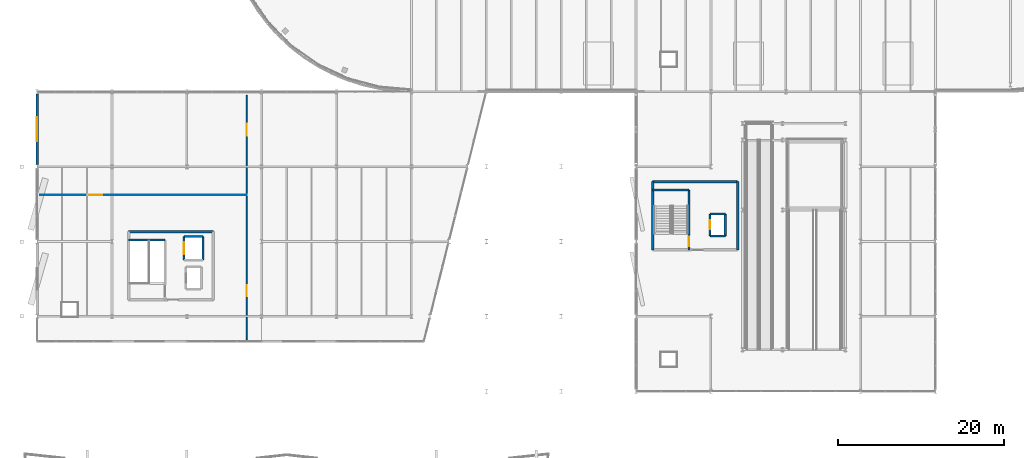
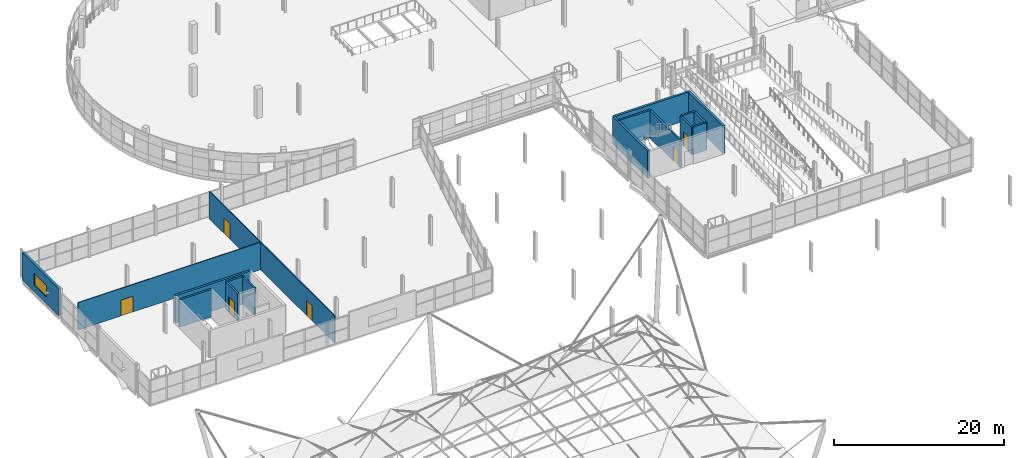
# One storey, part 113 of 132: 17 walls, 6 doors, 1 window, 7 openings.
"""IFC4 building model written with IfcOpenShell, lengths in metres."""

from ifc_helpers import new_model, si_unit, direction, frame, frame_2d, origin, place, context, subcontext, project, spatial, rectangle, extrude, material, layer, layer_set, type_object, element, fill, save


model = new_model("IFC4")

# Units and contexts
model_context = context("Model", 3, precision=1e-05, world=origin(), true_north=direction((0.0, 1.0)))
body_context = subcontext(model_context, "Body", "Model", "MODEL_VIEW")
ifc_project = project(units=[si_unit("LENGTHUNIT", "METRE"), si_unit("AREAUNIT", "SQUARE_METRE"), si_unit("VOLUMEUNIT", "CUBIC_METRE"), si_unit("PLANEANGLEUNIT", "RADIAN"), si_unit("MASSUNIT", "GRAM", prefix="KILO")], contexts=[model_context])

# Site, building, storey
site_placement = place(None, origin())
site = spatial("IfcSite", under=ifc_project, at=site_placement, CompositionType="ELEMENT")
building_placement = place(site_placement, origin())
building = spatial("IfcBuilding", under=site, at=building_placement, Name="Deido Ridge Mobility Hub", CompositionType="ELEMENT")
storey_placement = place(building_placement, frame((0.0, 0.0, 8.39990234375)))
storey = spatial("IfcBuildingStorey", under=building, at=storey_placement, Name="L02", CompositionType="ELEMENT", Elevation=8.39990234375)

# Wall, opening, window
ifc_material_1 = material(Name="Fired clay brick masonry", Category="masonry")
ifc_layer_1 = layer(ifc_material_1, 0.294921875, Name="Fired clay brick masonry")
ifc_layer_set_1 = layer_set([ifc_layer_1], Name="Fired clay brick masonry")
wall_type_1 = type_object("IfcWallType", Name="WL-EXT-BRK-295", PredefinedType="STANDARD", material=ifc_layer_set_1)
wall_1_placement = place(storey_placement, frame((0.0, 72.25, 0.0), z_axis=(0.0, 0.0, 1.0), x_axis=(0.0, 1.0, 0.0)))
wall_1 = element("IfcWall", 1, at=wall_1_placement, inside=storey, type_object=wall_type_1, Name="Exterior wall EW2", PredefinedType="STANDARD", context=body_context, shape_type="SweptSolid", body=[
    extrude(rectangle(XDim=8.5, YDim=0.294921875, at=frame_2d((4.25, 0.0))), origin(), (0.0, 0.0, 1.0), 3.93505859375),
])
opening_1_placement = place(wall_1_placement, frame((2.824951171875, 0.0, 0.949951171875)))
opening_1 = element("IfcOpeningElement", 2, at=opening_1_placement, cuts=wall_1, Name="Opening W14", PredefinedType="OPENING", context=body_context, shape_type="SweptSolid", body=[
    extrude(rectangle(XDim=2.85009765625, YDim=1.699951171875, at=frame_2d((1.425048828125, 0.85009765625))), frame((0.0, 0.157470703125, 0.0), z_axis=(0.0, -1.0, 0.0), x_axis=(1.0, 0.0, 0.0)), (0.0, 0.0, 1.0), 0.31494140625),
])
ifc_material_2 = material(Name="Laminated solar-control low-E glass", Category="glass")
window_type = type_object("IfcWindowType", Name="WN-ALU-2850X1700", PartitioningType="DOUBLE_PANEL_VERTICAL", PredefinedType="WINDOW", material=ifc_material_2)
window_placement = place(opening_1_placement, origin())
window = element("IfcWindow", 3, at=window_placement, inside=storey, type_object=window_type, Name="Exterior window W14", OverallHeight=1.699951171875, OverallWidth=2.85009765625, PartitioningType="SINGLE_PANEL", PredefinedType="WINDOW", context=body_context, shape_type="SweptSolid", body=[
    extrude(rectangle(XDim=2.85009765625, YDim=1.699951171875, at=frame_2d((1.425048828125, 0.85009765625))), frame((0.0, 0.030029296875, 0.0), z_axis=(0.0, -1.0, 0.0), x_axis=(1.0, 0.0, 0.0)), (0.0, 0.0, 1.0), 0.06005859375),
])
fill(opening_1, window)

# Wall, opening, door
ifc_material_3 = material(Name="Concrete blockwork masonry", Category="masonry")
ifc_layer_2 = layer(ifc_material_3, 0.10009765625, Name="Concrete blockwork masonry")
ifc_layer_set_2 = layer_set([ifc_layer_2], Name="Concrete blockwork masonry")
wall_type_2 = type_object("IfcWallType", Name="WL-PRT-BLK-100", PredefinedType="PARTITIONING", material=ifc_layer_set_2)
wall_2_placement = place(storey_placement, frame((0.39990234375, 68.60009765625, 0.0), z_axis=(0.0, 0.0, 1.0), x_axis=(1.0, 0.0, 0.0)))
wall_2 = element("IfcWall", 4, at=wall_2_placement, inside=storey, type_object=wall_type_2, Name="V5 west cross partition (L02)", PredefinedType="PARTITIONING", context=body_context, shape_type="SweptSolid", body=[
    extrude(rectangle(XDim=24.800048828125, YDim=0.10009765625, at=frame_2d((12.39990234375, 0.0))), origin(), (0.0, 0.0, 1.0), 3.93505859375),
])
opening_2_placement = place(wall_2_placement, frame((5.800048828125, 0.0, 0.0)))
opening_2 = element("IfcOpeningElement", 5, at=opening_2_placement, cuts=wall_2, Name="Opening DR-L02-212", PredefinedType="OPENING", context=body_context, shape_type="SweptSolid", body=[
    extrude(rectangle(XDim=1.64990234375, YDim=2.25, at=frame_2d((0.824951171875, 1.125))), frame((0.0, 0.06005859375, 0.0), z_axis=(0.0, -1.0, 0.0), x_axis=(1.0, 0.0, 0.0)), (0.0, 0.0, 1.0), 0.1201171875),
])
ifc_material_4 = material(Name="Treated tropical hardwood timber D40", Category="wood")
door_type_1 = type_object("IfcDoorType", Name="DR-INT-1650X2250", OperationType="DOUBLE_DOOR_SINGLE_SWING", PredefinedType="DOOR", material=ifc_material_4)
door_1_placement = place(opening_2_placement, origin())
door_1 = element("IfcDoor", 6, at=door_1_placement, inside=storey, type_object=door_type_1, Name="DR-I0212 V5 west cross door (L02)", OperationType="DOUBLE_DOOR_SINGLE_SWING", OverallHeight=2.25, OverallWidth=1.64990234375, PredefinedType="DOOR", context=body_context, shape_type="SweptSolid", body=[
    extrude(rectangle(XDim=1.64990234375, YDim=2.25, at=frame_2d((0.824951171875, 1.125))), frame((0.0, 0.02490234375, 0.0), z_axis=(0.0, -1.0, 0.0), x_axis=(1.0, 0.0, 0.0)), (0.0, 0.0, 1.0), 0.050048828125),
])
fill(opening_2, door_1)

# Wall, openings, doors
ifc_layer_3 = layer(ifc_material_3, 0.1298828125, Name="Concrete blockwork masonry")
ifc_layer_set_3 = layer_set([ifc_layer_3], Name="Concrete blockwork masonry")
wall_type_3 = type_object("IfcWallType", Name="WL-PRT-BLK-130", PredefinedType="PARTITIONING", material=ifc_layer_set_3)
wall_3_placement = place(storey_placement, frame((25.199951171875, 51.199951171875, 0.0), z_axis=(0.0, 0.0, 1.0), x_axis=(0.0, 1.0, 0.0)))
wall_3 = element("IfcWall", 7, at=wall_3_placement, inside=storey, type_object=wall_type_3, Name="V5 hall longitudinal partition (L02)", PredefinedType="PARTITIONING", context=body_context, shape_type="SweptSolid", body=[
    extrude(rectangle(XDim=29.400146484375, YDim=0.1298828125, at=frame_2d((14.7001953125, 0.0))), origin(), (0.0, 0.0, 1.0), 3.93505859375),
])
opening_3_placement = place(wall_3_placement, frame((5.199951171875, 0.0, 0.0)))
opening_3 = element("IfcOpeningElement", 8, at=opening_3_placement, cuts=wall_3, Name="Opening DR-L02-210", PredefinedType="OPENING", context=body_context, shape_type="SweptSolid", body=[
    extrude(rectangle(XDim=1.320068359375, YDim=2.199951171875, at=frame_2d((0.66015625, 1.10009765625))), frame((0.0, 0.074951171875, 0.0), z_axis=(0.0, -1.0, 0.0), x_axis=(1.0, 0.0, 0.0)), (0.0, 0.0, 1.0), 0.14990234375),
])
opening_4_placement = place(wall_3_placement, frame((24.5, 0.0, 0.0)))
opening_4 = element("IfcOpeningElement", 9, at=opening_4_placement, cuts=wall_3, Name="Opening DR-L02-211", PredefinedType="OPENING", context=body_context, shape_type="SweptSolid", body=[
    extrude(rectangle(XDim=1.449951171875, YDim=2.219970703125, at=frame_2d((0.72509765625, 1.10986328125))), frame((0.0, 0.074951171875, 0.0), z_axis=(0.0, -1.0, 0.0), x_axis=(1.0, 0.0, 0.0)), (0.0, 0.0, 1.0), 0.14990234375),
])
door_type_2 = type_object("IfcDoorType", Name="DR-INT-1320X2200", OperationType="NOTDEFINED", PredefinedType="DOOR", material=ifc_material_4)
door_2_placement = place(opening_3_placement, origin())
door_2 = element("IfcDoor", 10, at=door_2_placement, inside=storey, type_object=door_type_2, Name="DR-I0210 V5 south hall door (L02)", OperationType="SINGLE_SWING_LEFT", OverallHeight=2.199951171875, OverallWidth=1.320068359375, PredefinedType="DOOR", context=body_context, shape_type="SweptSolid", body=[
    extrude(rectangle(XDim=1.320068359375, YDim=2.199951171875, at=frame_2d((0.66015625, 1.10009765625))), frame((0.0, 0.02490234375, 0.0), z_axis=(0.0, -1.0, 0.0), x_axis=(1.0, 0.0, 0.0)), (0.0, 0.0, 1.0), 0.050048828125),
])
fill(opening_3, door_2)
door_type_3 = type_object("IfcDoorType", Name="DR-INT-1450X2220", OperationType="DOUBLE_DOOR_SINGLE_SWING", PredefinedType="DOOR", material=ifc_material_4)
door_3_placement = place(opening_4_placement, origin())
door_3 = element("IfcDoor", 11, at=door_3_placement, inside=storey, type_object=door_type_3, Name="DR-I0211 V5 north hall door (L02)", OperationType="DOUBLE_DOOR_SINGLE_SWING", OverallHeight=2.219970703125, OverallWidth=1.449951171875, PredefinedType="DOOR", context=body_context, shape_type="SweptSolid", body=[
    extrude(rectangle(XDim=1.449951171875, YDim=2.219970703125, at=frame_2d((0.72509765625, 1.10986328125))), frame((0.0, 0.02490234375, 0.0), z_axis=(0.0, -1.0, 0.0), x_axis=(1.0, 0.0, 0.0)), (0.0, 0.0, 1.0), 0.050048828125),
])
fill(opening_4, door_3)

# Wall, opening, door
ifc_material_5 = material(Name="Concrete C40/50", Category="concrete")
ifc_layer_4 = layer(ifc_material_5, 0.25, Name="Concrete C40/50")
ifc_layer_set_4 = layer_set([ifc_layer_4], Name="Concrete C40/50")
wall_type_4 = type_object("IfcWallType", Name="WL-SHR-RC-250", PredefinedType="SHEAR", material=ifc_layer_set_4)
wall_4_placement = place(storey_placement, frame((78.360107421875, 62.0, 0.0), z_axis=(0.0, 0.0, 1.0), x_axis=(0.0, 1.0, 0.0)))
wall_4 = element("IfcWall", 12, at=wall_4_placement, inside=storey, type_object=wall_type_4, Name="C4 stair shaft east wall", PredefinedType="SHEAR", context=body_context, shape_type="SweptSolid", body=[
    extrude(rectangle(XDim=7.199951171875, YDim=0.25, at=frame_2d((3.60009765625, 0.0))), origin(), (0.0, 0.0, 1.0), 3.93505859375),
])
opening_5_placement = place(wall_4_placement, frame((0.449951171875, 0.0, 0.0)))
opening_5 = element("IfcOpeningElement", 13, at=opening_5_placement, cuts=wall_4, Name="Opening FD-C4-L02", PredefinedType="OPENING", context=body_context, shape_type="SweptSolid", body=[
    extrude(rectangle(XDim=1.14990234375, YDim=2.14990234375, at=frame_2d((0.574951171875, 1.074951171875))), frame((0.0, 0.135009765625, 0.0), z_axis=(0.0, -1.0, 0.0), x_axis=(1.0, 0.0, 0.0)), (0.0, 0.0, 1.0), 0.27001953125),
])
ifc_material_6 = material(Name="Galvanised steel work", Category="steel")
door_type_4 = type_object("IfcDoorType", Name="DR-FD60-1150X2150", OperationType="NOTDEFINED", PredefinedType="DOOR", material=ifc_material_6)
door_4_placement = place(opening_5_placement, origin())
door_4 = element("IfcDoor", 14, at=door_4_placement, inside=storey, type_object=door_type_4, Name="DR-I0088 C4 protected stair door (L02)", OperationType="SINGLE_SWING_LEFT", OverallHeight=2.14990234375, OverallWidth=1.14990234375, PredefinedType="DOOR", context=body_context, shape_type="SweptSolid", body=[
    extrude(rectangle(XDim=1.14990234375, YDim=2.14990234375, at=frame_2d((0.574951171875, 1.074951171875))), frame((0.0, 0.02490234375, 0.0), z_axis=(0.0, -1.0, 0.0), x_axis=(1.0, 0.0, 0.0)), (0.0, 0.0, 1.0), 0.050048828125),
])
fill(opening_5, door_4)

# Walls
wall_5_placement = place(storey_placement, frame((74.0, 69.199951171875, 0.0), z_axis=(0.0, 0.0, 1.0), x_axis=(1.0, 0.0, 0.0)))
element("IfcWall", 15, at=wall_5_placement, inside=storey, type_object=wall_type_4, Name="C4 stair shaft north wall", PredefinedType="SHEAR", context=body_context, shape_type="SweptSolid", body=[
    extrude(rectangle(XDim=4.360107421875, YDim=0.25, at=frame_2d((2.18017578125, 0.0))), origin(), (0.0, 0.0, 1.0), 3.93505859375),
])
for number, where, z_axis, x_axis, name in (
    (16, (80.875, 63.675048828125, 0.0), (0.0, 0.0, 1.0), (1.0, 0.0, 0.0), "Lift PL2 south shaft wall"),
    (17, (80.875, 66.324951171875, 0.0), (0.0, 0.0, 1.0), (1.0, 0.0, 0.0), "Lift PL2 north shaft wall"),
):
    element("IfcWall", number, at=place(storey_placement, frame(where, z_axis=z_axis, x_axis=x_axis)), inside=storey, type_object=wall_type_4, Name=name, PredefinedType="SHEAR", context=body_context, shape_type="SweptSolid", body=[
        extrude(rectangle(XDim=1.85009765625, YDim=0.25, at=frame_2d((0.925048828125, 0.0))), origin(), (0.0, 0.0, 1.0), 3.93505859375),
    ])
wall_6_placement = place(storey_placement, frame((82.72509765625, 63.675048828125, 0.0), z_axis=(0.0, 0.0, 1.0), x_axis=(0.0, 1.0, 0.0)))
element("IfcWall", 18, at=wall_6_placement, inside=storey, type_object=wall_type_4, Name="Lift PL2 rear shaft wall", PredefinedType="SHEAR", context=body_context, shape_type="SweptSolid", body=[
    extrude(rectangle(XDim=2.64990234375, YDim=0.25, at=frame_2d((1.324951171875, 0.0))), origin(), (0.0, 0.0, 1.0), 3.93505859375),
])

# Wall, opening, door
wall_7_placement = place(storey_placement, frame((80.875, 63.675048828125, 0.0), z_axis=(0.0, 0.0, 1.0), x_axis=(0.0, 1.0, 0.0)))
wall_7 = element("IfcWall", 19, at=wall_7_placement, inside=storey, type_object=wall_type_4, Name="Lift PL2 landing wall", PredefinedType="SHEAR", context=body_context, shape_type="SweptSolid", body=[
    extrude(rectangle(XDim=2.64990234375, YDim=0.25, at=frame_2d((1.324951171875, 0.0))), origin(), (0.0, 0.0, 1.0), 3.93505859375),
])
opening_6_placement = place(wall_7_placement, frame((0.77490234375, 0.0, 0.0)))
opening_6 = element("IfcOpeningElement", 20, at=opening_6_placement, cuts=wall_7, Name="Opening LD-PL2", PredefinedType="OPENING", context=body_context, shape_type="SweptSolid", body=[
    extrude(rectangle(XDim=1.10009765625, YDim=2.14990234375, at=frame_2d((0.550048828125, 1.074951171875))), frame((0.0, 0.135009765625, 0.0), z_axis=(0.0, -1.0, 0.0), x_axis=(1.0, 0.0, 0.0)), (0.0, 0.0, 1.0), 0.27001953125),
])
ifc_material_7 = material(Name="Stainless steel 316", Category="steel")
door_type_5 = type_object("IfcDoorType", Name="DR-LND-PAS-1100X2150", OperationType="DOUBLE_DOOR_SLIDING", PredefinedType="USERDEFINED", material=ifc_material_7)
door_5_placement = place(opening_6_placement, origin())
door_5 = element("IfcDoor", 21, at=door_5_placement, inside=storey, type_object=door_type_5, Name="DR-I0090 Lift PL2 sliding landing door (L02)", ObjectType="LANDING DOOR", OperationType="DOUBLE_DOOR_SLIDING", OverallHeight=2.14990234375, OverallWidth=1.10009765625, PredefinedType="USERDEFINED", context=body_context, shape_type="SweptSolid", body=[
    extrude(rectangle(XDim=1.10009765625, YDim=2.14990234375, at=frame_2d((0.550048828125, 1.074951171875))), frame((0.0, 0.02490234375, 0.0), z_axis=(0.0, -1.0, 0.0), x_axis=(1.0, 0.0, 0.0)), (0.0, 0.0, 1.0), 0.050048828125),
])
fill(opening_6, door_5)

# Walls
wall_8_placement = place(storey_placement, frame((11.0, 63.199951171875, 0.0), z_axis=(0.0, 0.0, 1.0), x_axis=(1.0, 0.0, 0.0)))
element("IfcWall", 22, at=wall_8_placement, inside=storey, type_object=wall_type_4, Name="C6 stair shaft north wall", PredefinedType="SHEAR", context=body_context, shape_type="SweptSolid", body=[
    extrude(rectangle(XDim=4.360107421875, YDim=0.25, at=frame_2d((2.18017578125, 0.0))), origin(), (0.0, 0.0, 1.0), 3.93505859375),
])
wall_9_placement = place(storey_placement, frame((17.675048828125, 63.625, 0.0), z_axis=(0.0, 0.0, 1.0), x_axis=(1.0, 0.0, 0.0)))
element("IfcWall", 23, at=wall_9_placement, inside=storey, type_object=wall_type_4, Name="Lift GL2 north shaft wall", PredefinedType="SHEAR", context=body_context, shape_type="SweptSolid", body=[
    extrude(rectangle(XDim=2.25, YDim=0.25, at=frame_2d((1.125, 0.0))), origin(), (0.0, 0.0, 1.0), 3.93505859375),
])
wall_10_placement = place(storey_placement, frame((19.925048828125, 60.77490234375, 0.0), z_axis=(0.0, 0.0, 1.0), x_axis=(0.0, 1.0, 0.0)))
element("IfcWall", 24, at=wall_10_placement, inside=storey, type_object=wall_type_4, Name="Lift GL2 rear shaft wall", PredefinedType="SHEAR", context=body_context, shape_type="SweptSolid", body=[
    extrude(rectangle(XDim=2.85009765625, YDim=0.25, at=frame_2d((1.425048828125, 0.0))), origin(), (0.0, 0.0, 1.0), 3.93505859375),
])

# Wall, opening, door
wall_11_placement = place(storey_placement, frame((17.675048828125, 60.77490234375, 0.0), z_axis=(0.0, 0.0, 1.0), x_axis=(0.0, 1.0, 0.0)))
wall_11 = element("IfcWall", 25, at=wall_11_placement, inside=storey, type_object=wall_type_4, Name="Lift GL2 landing wall", PredefinedType="SHEAR", context=body_context, shape_type="SweptSolid", body=[
    extrude(rectangle(XDim=2.85009765625, YDim=0.25, at=frame_2d((1.425048828125, 0.0))), origin(), (0.0, 0.0, 1.0), 3.93505859375),
])
opening_7_placement = place(wall_11_placement, frame((0.72509765625, 0.0, 0.0)))
opening_7 = element("IfcOpeningElement", 26, at=opening_7_placement, cuts=wall_11, Name="Opening LD-GL2", PredefinedType="OPENING", context=body_context, shape_type="SweptSolid", body=[
    extrude(rectangle(XDim=1.39990234375, YDim=2.199951171875, at=frame_2d((0.699951171875, 1.10009765625))), frame((0.0, 0.135009765625, 0.0), z_axis=(0.0, -1.0, 0.0), x_axis=(1.0, 0.0, 0.0)), (0.0, 0.0, 1.0), 0.27001953125),
])
door_type_6 = type_object("IfcDoorType", Name="DR-LND-GDS-1400X2200", OperationType="DOUBLE_DOOR_SLIDING", PredefinedType="USERDEFINED", material=ifc_material_7)
door_6_placement = place(opening_7_placement, origin())
door_6 = element("IfcDoor", 27, at=door_6_placement, inside=storey, type_object=door_type_6, Name="DR-I0133 Lift GL2 sliding landing door (L02)", ObjectType="LANDING DOOR", OperationType="DOUBLE_DOOR_SLIDING", OverallHeight=2.199951171875, OverallWidth=1.39990234375, PredefinedType="USERDEFINED", context=body_context, shape_type="SweptSolid", body=[
    extrude(rectangle(XDim=1.39990234375, YDim=2.199951171875, at=frame_2d((0.699951171875, 1.10009765625))), frame((0.0, 0.02490234375, 0.0), z_axis=(0.0, -1.0, 0.0), x_axis=(1.0, 0.0, 0.0)), (0.0, 0.0, 1.0), 0.050048828125),
])
fill(opening_7, door_6)

# Walls
ifc_layer_5 = layer(ifc_material_5, 0.300048828125, Name="Concrete C40/50")
ifc_layer_set_5 = layer_set([ifc_layer_5], Name="Concrete C40/50")
wall_type_5 = type_object("IfcWallType", Name="WL-SHR-RC-300", PredefinedType="SHEAR", material=ifc_layer_set_5)
wall_12_placement = place(storey_placement, frame((84.199951171875, 62.0, 0.0), z_axis=(0.0, 0.0, 1.0), x_axis=(0.0, 1.0, 0.0)))
element("IfcWall", 28, at=wall_12_placement, inside=storey, type_object=wall_type_5, Name="C4 east shear wall", PredefinedType="SHEAR", context=body_context, shape_type="SweptSolid", body=[
    extrude(rectangle(XDim=8.199951171875, YDim=0.300048828125, at=frame_2d((4.10009765625, 0.0))), origin(), (0.0, 0.0, 1.0), 3.93505859375),
])
wall_13_placement = place(storey_placement, frame((84.199951171875, 70.199951171875, 0.0), z_axis=(0.0, 0.0, 1.0), x_axis=(-1.0, 0.0, 0.0)))
element("IfcWall", 29, at=wall_13_placement, inside=storey, type_object=wall_type_5, Name="C4 north shear wall", PredefinedType="SHEAR", context=body_context, shape_type="SweptSolid", body=[
    extrude(rectangle(XDim=10.199951171875, YDim=0.300048828125, at=frame_2d((5.10009765625, 0.0))), origin(), (0.0, 0.0, 1.0), 3.93505859375),
])
wall_14_placement = place(storey_placement, frame((74.0, 70.199951171875, 0.0), z_axis=(0.0, 0.0, 1.0), x_axis=(0.0, -1.0, 0.0)))
element("IfcWall", 30, at=wall_14_placement, inside=storey, type_object=wall_type_5, Name="C4 west shear wall", PredefinedType="SHEAR", context=body_context, shape_type="SweptSolid", body=[
    extrude(rectangle(XDim=8.199951171875, YDim=0.300048828125, at=frame_2d((4.10009765625, 0.0))), origin(), (0.0, 0.0, 1.0), 3.93505859375),
])
wall_15_placement = place(storey_placement, frame((21.199951171875, 64.199951171875, 0.0), z_axis=(0.0, 0.0, 1.0), x_axis=(-1.0, 0.0, 0.0)))
element("IfcWall", 31, at=wall_15_placement, inside=storey, type_object=wall_type_5, Name="C6 north shear wall", PredefinedType="SHEAR", context=body_context, shape_type="SweptSolid", body=[
    extrude(rectangle(XDim=10.199951171875, YDim=0.300048828125, at=frame_2d((5.10009765625, 0.0))), origin(), (0.0, 0.0, 1.0), 3.93505859375),
])

save(model, "model.ifc")
